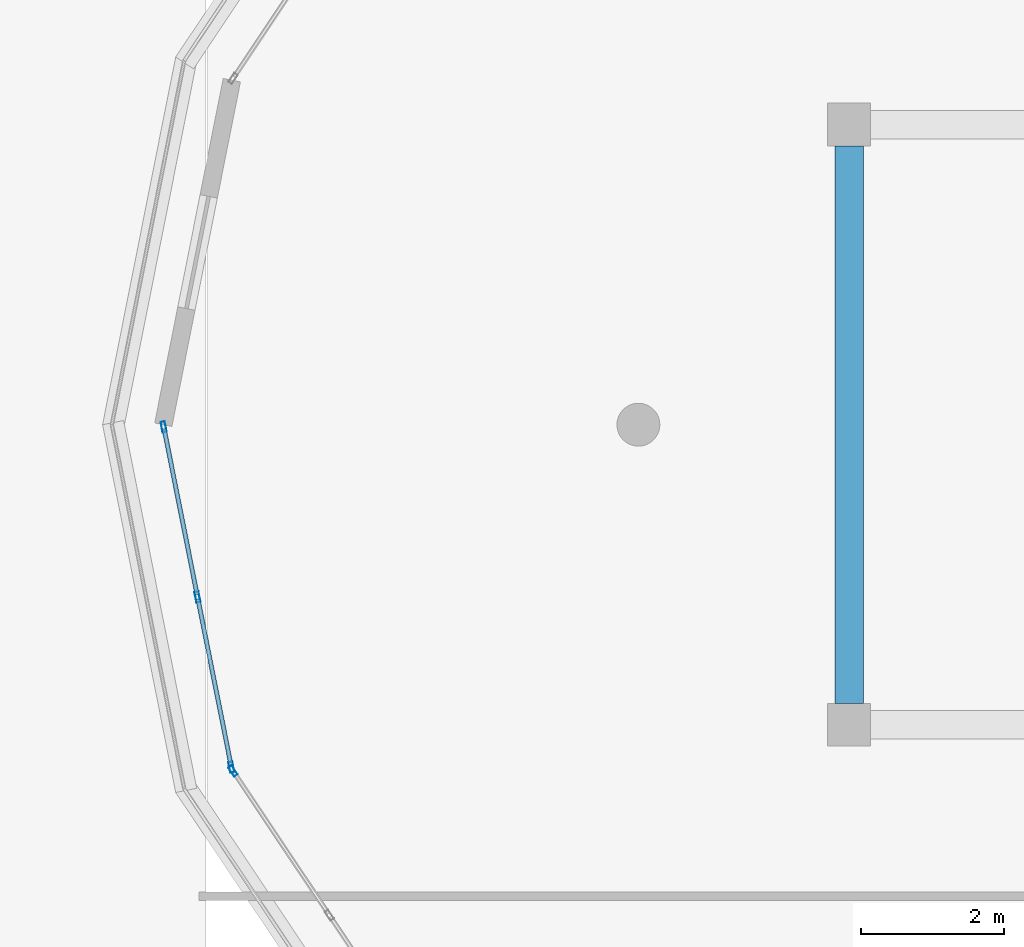
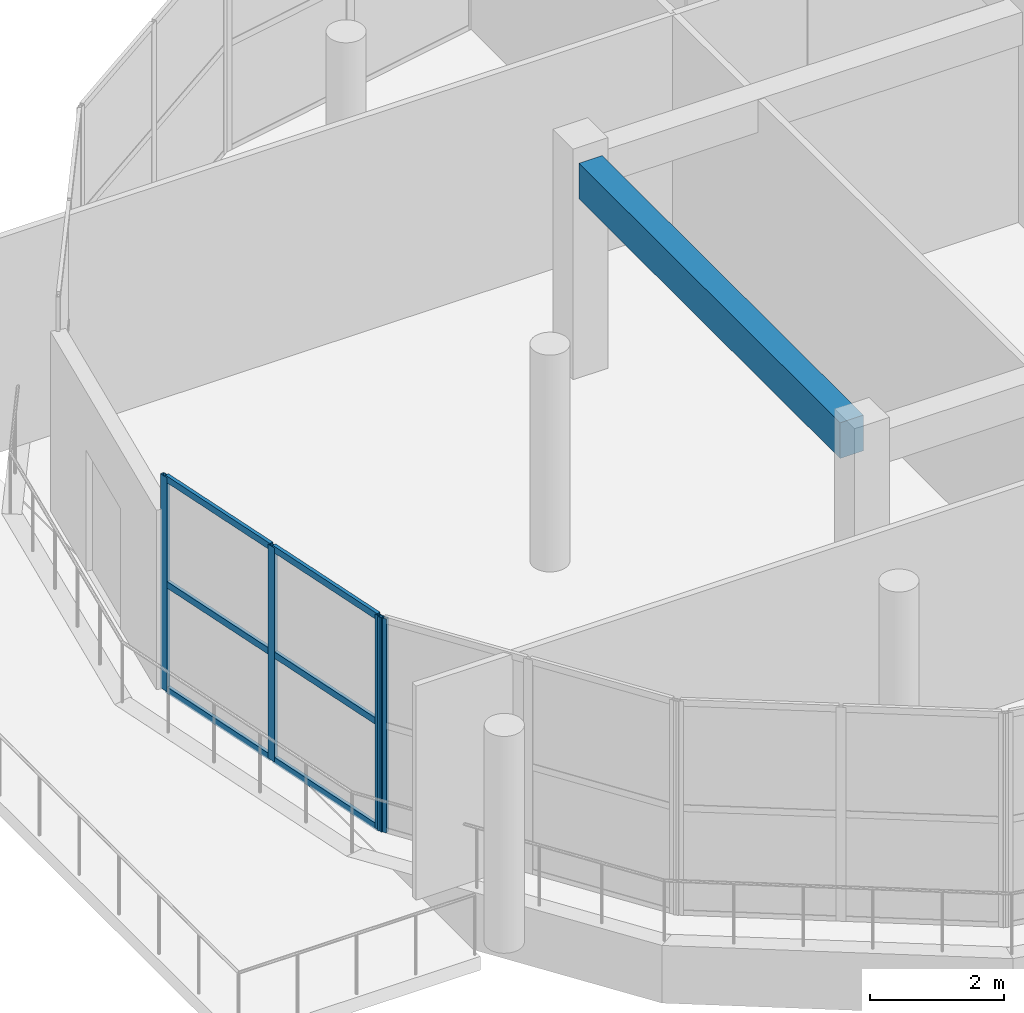
# One storey, part 3 of 56: 10 members, 1 beam, 2 elements without a shape of their own.
"""IFC4 building model written with IfcOpenShell, lengths in metres."""

from ifc_helpers import new_model, si_unit, direction, frame, origin, origin_2d, place, context, subcontext, project, spatial, rectangle, hollow_rectangle, extrude, material, layer, layer_set, material_profile, profile_set, type_object, element, aggregate, save


model = new_model("IFC4")

# Units and contexts
model_context = context("Model", 3, precision=1e-05, world=origin(), true_north=direction((0.0, 1.0)))
body_context = subcontext(model_context, "Body", "Model", "MODEL_VIEW")
ifc_project = project(units=[si_unit("LENGTHUNIT", "METRE"), si_unit("AREAUNIT", "SQUARE_METRE"), si_unit("VOLUMEUNIT", "CUBIC_METRE"), si_unit("PLANEANGLEUNIT", "RADIAN"), si_unit("MASSUNIT", "GRAM", prefix="KILO")], contexts=[model_context])

# Site, building, storey
site_placement = place(None, origin())
site = spatial("IfcSite", under=ifc_project, at=site_placement, CompositionType="ELEMENT")
building_placement = place(site_placement, origin())
building = spatial("IfcBuilding", under=site, at=building_placement, Name="Zizhar Promenade General Hospital", CompositionType="ELEMENT")
storey_placement = place(building_placement, frame((0.0, 0.0, 26.39990234375)))
storey = spatial("IfcBuildingStorey", under=building, at=storey_placement, Name="L06", CompositionType="ELEMENT", Elevation=26.39990234375)

# Beam
ifc_material_1 = material(Name="Concrete C35/45", Category="concrete")
ifc_material_profile_1 = material_profile(ifc_material_1, rectangle(XDim=0.39990234375, YDim=0.64990234375, at=origin_2d()))
ifc_profile_set_1 = profile_set([ifc_material_profile_1], Name="Concrete C35/45")
beam_type = type_object("IfcBeamType", Name="BM-RC-400x650", PredefinedType="BEAM", material=ifc_profile_set_1)
beam_placement = place(storey_placement, frame((31.199951171875, 8.699951171875, 3.585205078125), z_axis=(0.0, 1.0, 0.0), x_axis=(-1.0, 0.0, 0.0)))
element("IfcBeam", 1, at=beam_placement, inside=storey, type_object=beam_type, Name="Grid Beam Y L06 (4-1)", PredefinedType="BEAM", context=body_context, shape_type="SweptSolid", body=[
    extrude(rectangle(XDim=0.39990234375, YDim=0.64990234375, at=origin_2d()), origin(), (0.0, 0.0, 1.0), 7.800048828125),
])

# Curtain wall, members
ifc_material_2 = material(Name="Anodised aluminium 6063-T6 and low-E glass", Category="aluminium")
ifc_layer = layer(ifc_material_2, 0.159912109375)
ifc_layer_set = layer_set([ifc_layer], Name="Anodised aluminium 6063-T6 and low-E glass")
curtain_wall_type = type_object("IfcCurtainWallType", Name="CW-WARD-ARC", PredefinedType="NOTDEFINED", material=ifc_layer_set)
curtain_wall_1_placement = place(storey_placement, origin())
curtain_wall_1 = element("IfcCurtainWall", 2, at=curtain_wall_1_placement, inside=storey, type_object=curtain_wall_type, Name="Ward Semicircular End Glazing L06-14", PredefinedType="NOTDEFINED")
ifc_material_3 = material(Name="Anodised aluminium 6063-T6", Category="aluminium")
ifc_material_profile_2 = material_profile(ifc_material_3, hollow_rectangle(XDim=0.06005859375, YDim=0.14990234375, WallThickness=0.00390625, at=origin_2d()))
ifc_profile_set_2 = profile_set([ifc_material_profile_2], Name="Anodised aluminium 6063-T6")
member_type_1 = type_object("IfcMemberType", Name="CWM-ALU-150x60", PredefinedType="MULLION", material=ifc_profile_set_2)
member_1_placement = place(storey_placement, frame((22.55322265625, 7.8076171875, 0.0), z_axis=(0.0, 0.0, 1.0), x_axis=(-0.980785889615, -0.195087259275, 0.0)))
member_1 = element("IfcMember", 3, at=member_1_placement, type_object=member_type_1, Name="CW-12 mullion 1", PredefinedType="MULLION", context=body_context, shape_type="SweptSolid", body=[
    extrude(hollow_rectangle(XDim=0.06005859375, YDim=0.14990234375, WallThickness=0.00390625, at=origin_2d()), origin(), (0.0, 0.0, 1.0), 3.900146484375),
])
member_2_placement = place(storey_placement, frame((22.07958984375, 10.189208984375, 0.0), z_axis=(0.0, 0.0, 1.0), x_axis=(-0.980785889615, -0.195087259275, 0.0)))
member_2 = element("IfcMember", 4, at=member_2_placement, type_object=member_type_1, Name="CW-12 mullion 2", PredefinedType="MULLION", context=body_context, shape_type="SweptSolid", body=[
    extrude(hollow_rectangle(XDim=0.06005859375, YDim=0.14990234375, WallThickness=0.00390625, at=origin_2d()), origin(), (0.0, 0.0, 1.0), 3.900146484375),
])
member_3_placement = place(storey_placement, frame((21.60595703125, 12.570556640625, 0.0), z_axis=(0.0, 0.0, 1.0), x_axis=(-0.980785889615, -0.195087259275, 0.0)))
member_3 = element("IfcMember", 5, at=member_3_placement, type_object=member_type_1, Name="CW-12 mullion 3", PredefinedType="MULLION", context=body_context, shape_type="SweptSolid", body=[
    extrude(hollow_rectangle(XDim=0.06005859375, YDim=0.14990234375, WallThickness=0.00390625, at=origin_2d()), origin(), (0.0, 0.0, 1.0), 3.900146484375),
])

# Curtain wall, member
curtain_wall_2_placement = place(storey_placement, origin())
curtain_wall_2 = element("IfcCurtainWall", 6, at=curtain_wall_2_placement, inside=storey, type_object=curtain_wall_type, Name="Ward Semicircular End Glazing L06-15", PredefinedType="NOTDEFINED")
member_4_placement = place(storey_placement, frame((22.57568359375, 7.753173828125, 0.0), z_axis=(0.0, 0.0, 1.0), x_axis=(-0.831461514468, -0.555582352095, 0.0)))
member_4 = element("IfcMember", 7, at=member_4_placement, type_object=member_type_1, Name="CW-12 mullion 3", PredefinedType="MULLION", context=body_context, shape_type="SweptSolid", body=[
    extrude(hollow_rectangle(XDim=0.06005859375, YDim=0.14990234375, WallThickness=0.00390625, at=origin_2d()), origin(), (0.0, 0.0, 1.0), 3.900146484375),
])
aggregate(curtain_wall_2, [member_4])

# Member
ifc_material_4 = material(Name="Anodised aluminium 6063-T6", Category="aluminium")
ifc_material_profile_3 = material_profile(ifc_material_4, hollow_rectangle(XDim=0.06005859375, YDim=0.1201171875, WallThickness=0.00390625, at=origin_2d()))
ifc_profile_set_3 = profile_set([ifc_material_profile_3], Name="Anodised aluminium 6063-T6")
member_type_2 = type_object("IfcMemberType", Name="CWT-ALU-120x60", PredefinedType="USERDEFINED", material=ifc_profile_set_3)
member_5_placement = place(storey_placement, frame((22.54736328125, 7.837158203125, 0.030029296875), z_axis=(-0.195065195628, 0.980790278018, 0.0), x_axis=(-0.980790278018, -0.195065195628, 0.0)))
member_5 = element("IfcMember", 8, at=member_5_placement, type_object=member_type_2, Name="CW-12 transom 1.1", ObjectType="TRANSOM", PredefinedType="USERDEFINED", context=body_context, shape_type="SweptSolid", body=[
    extrude(hollow_rectangle(XDim=0.06005859375, YDim=0.1201171875, WallThickness=0.00390625, at=origin_2d()), origin(), (0.0, 0.0, 1.0), 2.367919921875),
])

member_6_placement = place(storey_placement, frame((22.54736328125, 7.837158203125, 1.9501953125), z_axis=(-0.195065195628, 0.980790278018, 0.0), x_axis=(-0.980790278018, -0.195065195628, 0.0)))
member_6 = element("IfcMember", 9, at=member_6_placement, type_object=member_type_2, Name="CW-12 transom 1.2", ObjectType="TRANSOM", PredefinedType="USERDEFINED", context=body_context, shape_type="SweptSolid", body=[
    extrude(hollow_rectangle(XDim=0.06005859375, YDim=0.1201171875, WallThickness=0.00390625, at=origin_2d()), origin(), (0.0, 0.0, 1.0), 2.367919921875),
])

member_7_placement = place(storey_placement, frame((22.54736328125, 7.837158203125, 3.8701171875), z_axis=(-0.195065195628, 0.980790278018, 0.0), x_axis=(-0.980790278018, -0.195065195628, 0.0)))
member_7 = element("IfcMember", 10, at=member_7_placement, type_object=member_type_2, Name="CW-12 transom 1.3", ObjectType="TRANSOM", PredefinedType="USERDEFINED", context=body_context, shape_type="SweptSolid", body=[
    extrude(hollow_rectangle(XDim=0.06005859375, YDim=0.1201171875, WallThickness=0.00390625, at=origin_2d()), origin(), (0.0, 0.0, 1.0), 2.367919921875),
])

member_8_placement = place(storey_placement, frame((22.07373046875, 10.218505859375, 0.030029296875), z_axis=(-0.195045472693, 0.980794200422, 0.0), x_axis=(-0.980794200422, -0.195045472693, 0.0)))
member_8 = element("IfcMember", 11, at=member_8_placement, type_object=member_type_2, Name="CW-12 transom 2.1", ObjectType="TRANSOM", PredefinedType="USERDEFINED", context=body_context, shape_type="SweptSolid", body=[
    extrude(hollow_rectangle(XDim=0.06005859375, YDim=0.1201171875, WallThickness=0.00390625, at=origin_2d()), origin(), (0.0, 0.0, 1.0), 2.3681640625),
])

member_9_placement = place(storey_placement, frame((22.07373046875, 10.218505859375, 1.9501953125), z_axis=(-0.195045472693, 0.980794200422, 0.0), x_axis=(-0.980794200422, -0.195045472693, 0.0)))
member_9 = element("IfcMember", 12, at=member_9_placement, type_object=member_type_2, Name="CW-12 transom 2.2", ObjectType="TRANSOM", PredefinedType="USERDEFINED", context=body_context, shape_type="SweptSolid", body=[
    extrude(hollow_rectangle(XDim=0.06005859375, YDim=0.1201171875, WallThickness=0.00390625, at=origin_2d()), origin(), (0.0, 0.0, 1.0), 2.3681640625),
])

member_10_placement = place(storey_placement, frame((22.07373046875, 10.218505859375, 3.8701171875), z_axis=(-0.195045472693, 0.980794200422, 0.0), x_axis=(-0.980794200422, -0.195045472693, 0.0)))
member_10 = element("IfcMember", 13, at=member_10_placement, type_object=member_type_2, Name="CW-12 transom 2.3", ObjectType="TRANSOM", PredefinedType="USERDEFINED", context=body_context, shape_type="SweptSolid", body=[
    extrude(hollow_rectangle(XDim=0.06005859375, YDim=0.1201171875, WallThickness=0.00390625, at=origin_2d()), origin(), (0.0, 0.0, 1.0), 2.3681640625),
])

aggregate(curtain_wall_1, [member_1, member_2, member_3, member_5, member_6, member_7, member_8, member_9, member_10])

save(model, "model.ifc")
